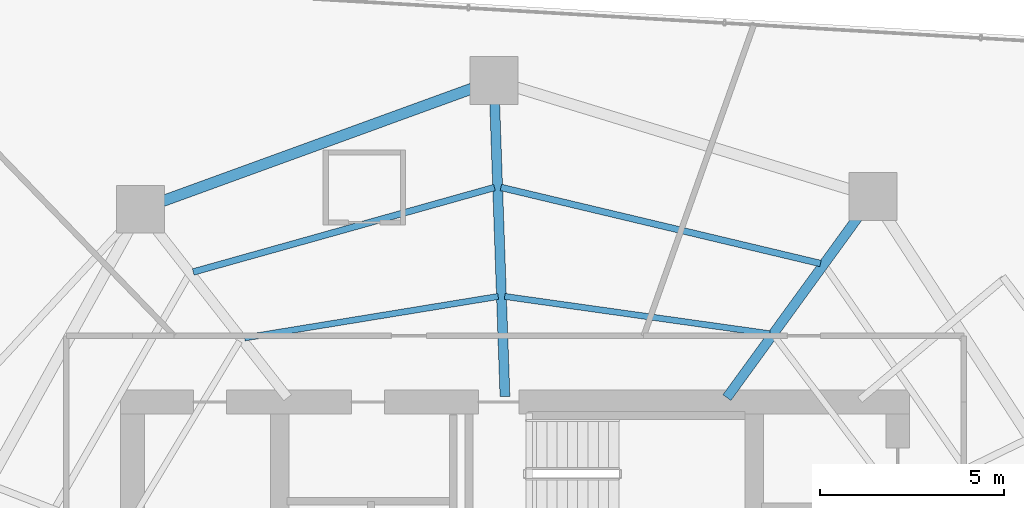
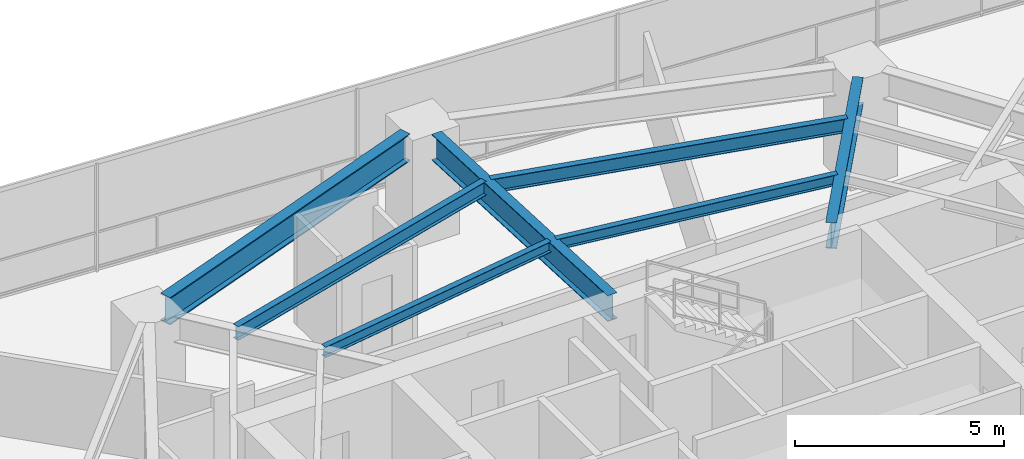
# One storey, part 17 of 28: 7 beams.
"""IFC4 building model written with IfcOpenShell, lengths in metres."""

import ifcopenshell
import ifcopenshell.guid

model = None  # the IFC model being written
_history = None  # IfcOwnerHistory: only IFC2X3 demands one
_inside = {}  # id of a spatial element -> (the spatial element, [elements in it])
_under = {}  # id of a project, library or spatial element -> (it, [spatial elements below it])
_declared = {}  # id of a project -> (the project, [libraries it declares])
_typed = {}  # id of a type object -> (the type object, [elements of that type])
_made_of = {}  # id of a material, layer set ... -> (it, [elements and type objects made of it])


def new_model(schema):
    """Start an empty IFC model of exactly this schema.

    Asked for "IFC4X3", IfcOpenShell would pick the latest addendum, in which some entities
    have other attributes; the version numbers below select the first issue.
    IFC2X3 requires an IfcOwnerHistory on every rooted entity: one is made here for all.
    """
    global model, _history
    if schema == "IFC4X3":
        model = ifcopenshell.file(schema_version=(4, 3, 0, 0))
    else:
        model = ifcopenshell.file(schema=schema)
    _inside.clear()
    _under.clear()
    _declared.clear()
    _typed.clear()
    _made_of.clear()
    _history = None
    if model.schema == "IFC2X3":
        org = make("IfcOrganization", Name="unknown")
        user = make(
            "IfcPersonAndOrganization",
            ThePerson=make("IfcPerson", FamilyName="unknown"),
            TheOrganization=org,
        )
        app = make(
            "IfcApplication",
            ApplicationDeveloper=org,
            Version="unknown",
            ApplicationFullName="unknown",
            ApplicationIdentifier="unknown",
        )
        _history = make(
            "IfcOwnerHistory",
            OwningUser=user,
            OwningApplication=app,
            ChangeAction="ADDED",
            CreationDate=0,
        )
    return model


def make(cls, **values):
    """One entity of the class cls with the attributes given. An attribute that is None is left unset."""
    return model.create_entity(
        cls, **{name: value for name, value in values.items() if value is not None}
    )


def rooted(cls, **values):
    """An entity with a GlobalId (a new one), such as an element, a storey or a relation."""
    return make(cls, GlobalId=ifcopenshell.guid.new(), OwnerHistory=_history, **values)


def si_unit(unit_type, name, prefix=None):
    """IfcSIUnit, for example si_unit("LENGTHUNIT", "METRE", prefix="MILLI")."""
    return make("IfcSIUnit", UnitType=unit_type, Prefix=prefix, Name=name)


def assignment(units):
    """IfcUnitAssignment: the units of a project."""
    return None if units is None else make("IfcUnitAssignment", Units=units)


def point(xyz):
    """IfcCartesianPoint."""
    return None if xyz is None else make("IfcCartesianPoint", Coordinates=xyz)


def direction(xyz):
    """IfcDirection."""
    return None if xyz is None else make("IfcDirection", DirectionRatios=xyz)


def frame(location, z_axis=None, x_axis=None):
    """IfcAxis2Placement3D, a coordinate frame: its origin and axes. An axis left out is left unset."""
    return make(
        "IfcAxis2Placement3D",
        Location=point(location),
        Axis=direction(z_axis),
        RefDirection=direction(x_axis),
    )


def frame_2d(location, x_axis=None):
    """IfcAxis2Placement2D, a coordinate frame in the plane: its origin and x axis."""
    return make(
        "IfcAxis2Placement2D", Location=point(location), RefDirection=direction(x_axis)
    )


def origin():
    """The frame at (0, 0, 0) with its axes left unset."""
    return frame((0.0, 0.0, 0.0))


def origin_2d():
    """The frame at (0, 0) in the plane with its x axis left unset."""
    return frame_2d((0.0, 0.0))


def place(relative_to, where):
    """IfcLocalPlacement: puts the frame where relative to a parent placement (None: the world)."""
    return make(
        "IfcLocalPlacement", PlacementRelTo=relative_to, RelativePlacement=where
    )


def context(
    kind, dimensions, precision=None, world=None, true_north=None, identifier=None
):
    """IfcGeometricRepresentationContext, for example the 3D "Model" context."""
    return make(
        "IfcGeometricRepresentationContext",
        ContextIdentifier=identifier,
        ContextType=kind,
        CoordinateSpaceDimension=dimensions,
        Precision=precision,
        WorldCoordinateSystem=world,
        TrueNorth=true_north,
    )


def subcontext(parent, identifier, kind, view, scale=None):
    """IfcGeometricRepresentationSubContext, for example "Body" below "Model"."""
    return make(
        "IfcGeometricRepresentationSubContext",
        ContextIdentifier=identifier,
        ContextType=kind,
        ParentContext=parent,
        TargetScale=scale,
        TargetView=view,
    )


def project(units=None, contexts=None):
    """IfcProject with its units and contexts."""
    return rooted(
        "IfcProject",
        Name="project",
        RepresentationContexts=contexts,
        UnitsInContext=assignment(units),
    )


def spatial(cls, under=None, at=None, **own):
    """A site, building, storey or space (cls), placed at a placement, below another one or the project."""
    s = rooted(cls, ObjectPlacement=at, **own)
    if under is not None:
        _under.setdefault(under.id(), (under, []))[1].append(s)
    return s


def profile(cls, at=None, kind="AREA", **sizes):
    """A parametric profile (cls). Its sizes go by their IFC names, for example OverallWidth=200.0."""
    return make(cls, ProfileType=kind, Position=at, **sizes)


def i_section(**sizes):
    """IfcIShapeProfileDef."""
    return profile("IfcIShapeProfileDef", **sizes)


def extrude(swept, where, along, depth):
    """IfcExtrudedAreaSolid: the profile swept, set in the frame where, extruded along a direction by depth."""
    return make(
        "IfcExtrudedAreaSolid",
        SweptArea=swept,
        Position=where,
        ExtrudedDirection=direction(along),
        Depth=depth,
    )


def shape(context_of_items, identifier, shape_type, items):
    """IfcShapeRepresentation: the items that make up one representation, for example the "Body"."""
    return make(
        "IfcShapeRepresentation",
        ContextOfItems=context_of_items,
        RepresentationIdentifier=identifier,
        RepresentationType=shape_type,
        Items=items,
    )


def material(Name=None, Category=None):
    """IfcMaterial."""
    return make("IfcMaterial", Name=Name, Category=Category)


def material_profile(
    of_material, cross_section, Name=None, Category=None, Priority=None
):
    """IfcMaterialProfile: a cross section and its material."""
    return make(
        "IfcMaterialProfile",
        Name=Name,
        Material=of_material,
        Profile=cross_section,
        Priority=Priority,
        Category=Category,
    )


def profile_set(profiles, Name=None, composite=None):
    """IfcMaterialProfileSet."""
    return make(
        "IfcMaterialProfileSet",
        Name=Name,
        MaterialProfiles=profiles,
        CompositeProfile=composite,
    )


def made_of(thing, what):
    """Note that an element or type object is made of a material, layer set ...; save() writes the relation."""
    if what is not None:
        _made_of.setdefault(what.id(), (what, []))[1].append(thing)
    return thing


def type_object(cls, material=None, **own):
    """A type object (cls), such as IfcWallType, which elements share."""
    return made_of(rooted(cls, **own), material)


def element(
    cls,
    number,
    at=None,
    inside=None,
    cuts=None,
    type_object=None,
    material=None,
    context=None,
    identifier="Body",
    shape_type=None,
    held_by="IfcProductDefinitionShape",
    body=None,
    shapes=None,
    **own,
):
    """One element of the class cls, such as IfcWall. Its Tag is "e" and its number.

    at: its placement. inside: the storey or other place that contains it. cuts: it is an
    opening in that element (IfcRelVoidsElement). A single representation is given by context,
    identifier, shape_type and body (its items); several are given by shapes. held_by: the class
    of the entity that holds the representations. save() writes the other relations.
    """
    e = rooted(cls, Tag="e%d" % number, ObjectPlacement=at, **own)
    if body is not None:
        shapes = [shape(context, identifier, shape_type, body)]
    if shapes is not None:
        e.Representation = make(held_by, Representations=shapes)
    if inside is not None:
        _inside.setdefault(inside.id(), (inside, []))[1].append(e)
    if cuts is not None:
        rooted(
            "IfcRelVoidsElement", RelatingBuildingElement=cuts, RelatedOpeningElement=e
        )
    if type_object is not None:
        _typed.setdefault(type_object.id(), (type_object, []))[1].append(e)
    return made_of(e, material)


def aggregate(whole, parts):
    """IfcRelAggregates: a whole, such as a stair, and the parts it consists of."""
    return rooted("IfcRelAggregates", RelatingObject=whole, RelatedObjects=parts)


def save(model, path):
    """Write the relations noted so far, then the file.

    IfcRelAggregates (storeys below a building ...), IfcRelContainedInSpatialStructure (elements
    in a storey), IfcRelDefinesByType, IfcRelAssociatesMaterial and IfcRelDeclares: one each for
    every whole, place, type object, material and project.
    """
    for whole, parts in _under.values():
        aggregate(whole, parts)
    for where, things in _inside.values():
        rooted(
            "IfcRelContainedInSpatialStructure",
            RelatedElements=things,
            RelatingStructure=where,
        )
    for kind, things in _typed.values():
        rooted("IfcRelDefinesByType", RelatedObjects=things, RelatingType=kind)
    for what, things in _made_of.values():
        rooted("IfcRelAssociatesMaterial", RelatedObjects=things, RelatingMaterial=what)
    for by, libraries in _declared.values():
        rooted("IfcRelDeclares", RelatingContext=by, RelatedDefinitions=libraries)
    model.write(path)


model = new_model("IFC4")

# Units and contexts
model_context = context("Model", 3, precision=1e-05, world=origin(), true_north=direction((0.0, 1.0)))
body_context = subcontext(model_context, "Body", "Model", "MODEL_VIEW")
ifc_project = project(units=[si_unit("LENGTHUNIT", "METRE"), si_unit("AREAUNIT", "SQUARE_METRE"), si_unit("VOLUMEUNIT", "CUBIC_METRE"), si_unit("PLANEANGLEUNIT", "RADIAN"), si_unit("MASSUNIT", "GRAM", prefix="KILO")], contexts=[model_context])

# Site, building, storey
site_placement = place(None, origin())
site = spatial("IfcSite", under=ifc_project, at=site_placement, CompositionType="ELEMENT")
building_placement = place(site_placement, origin())
building = spatial("IfcBuilding", under=site, at=building_placement, Name="Qarnah Convention Tower", CompositionType="ELEMENT")
storey_placement = place(building_placement, frame((0.0, 0.0, 54.60009765625)))
storey = spatial("IfcBuildingStorey", under=building, at=storey_placement, Name="L13", CompositionType="ELEMENT", Elevation=54.60009765625)

# Beams
ifc_material = material(Name="Structural steel S355JR", Category="steel")
ifc_material_profile_1 = material_profile(ifc_material, i_section(OverallWidth=0.166015625, OverallDepth=0.31201171875, WebThickness=0.007080078125, FlangeThickness=0.010986328125, at=origin_2d()), Name="W310X45")
ifc_profile_set_1 = profile_set([ifc_material_profile_1], Name="Structural steel S355JR")
beam_type_1 = type_object("IfcBeamType", Name="BM-JST-W310", PredefinedType="JOIST", material=ifc_profile_set_1)
beam_1_placement = place(storey_placement, frame((44.117919921875, 36.056884765625, 3.013916015625), z_axis=(-0.990232771612, 0.139424022414, 0.0), x_axis=(-0.139424022414, -0.990232771612, 0.0)))
element("IfcBeam", 1, at=beam_1_placement, inside=storey, type_object=beam_type_1, Name="L13 joist BM-L13-IJST-02", PredefinedType="JOIST", context=body_context, shape_type="SweptSolid", body=[
    extrude(i_section(OverallWidth=0.166015625, OverallDepth=0.31201171875, WebThickness=0.007080078125, FlangeThickness=0.010986328125, at=origin_2d()), origin(), (0.0, 0.0, 1.0), 7.27392578125),
])
beam_2_placement = place(storey_placement, frame((36.737060546875, 37.070068359375, 3.013916015625), z_axis=(-0.986919717952, -0.161212500503, 0.0), x_axis=(0.161212500503, -0.986919717952, 0.0)))
element("IfcBeam", 2, at=beam_2_placement, inside=storey, type_object=beam_type_1, Name="L13 joist BM-L13-IJST-03", PredefinedType="JOIST", context=body_context, shape_type="SweptSolid", body=[
    extrude(i_section(OverallWidth=0.166015625, OverallDepth=0.31201171875, WebThickness=0.007080078125, FlangeThickness=0.010986328125, at=origin_2d()), origin(), (0.0, 0.0, 1.0), 6.984375),
])
ifc_material_profile_2 = material_profile(ifc_material, i_section(OverallWidth=0.177978515625, OverallDepth=0.407958984375, WebThickness=0.008056640625, FlangeThickness=0.012939453125, at=origin_2d()), Name="W410X60")
ifc_profile_set_2 = profile_set([ifc_material_profile_2], Name="Structural steel S355JR")
beam_type_2 = type_object("IfcBeamType", Name="BM-JST-W410", PredefinedType="JOIST", material=ifc_profile_set_2)
beam_3_placement = place(storey_placement, frame((45.5, 37.966064453125, 2.9658203125), z_axis=(-0.972805041554, 0.231625454401, 0.0), x_axis=(-0.231625454401, -0.972805041554, 0.0)))
element("IfcBeam", 3, at=beam_3_placement, inside=storey, type_object=beam_type_2, Name="L13 joist BM-L13-SJST-02", PredefinedType="JOIST", context=body_context, shape_type="SweptSolid", body=[
    extrude(i_section(OverallWidth=0.177978515625, OverallDepth=0.407958984375, WebThickness=0.008056640625, FlangeThickness=0.012939453125, at=origin_2d()), origin(), (0.0, 0.0, 1.0), 8.931884765625),
])
beam_4_placement = place(storey_placement, frame((36.635986328125, 40.031982421875, 2.9658203125), z_axis=(-0.962855992526, -0.270015439665, 0.0), x_axis=(0.270015439665, -0.962855992526, 0.0)))
element("IfcBeam", 4, at=beam_4_placement, inside=storey, type_object=beam_type_2, Name="L13 joist BM-L13-SJST-03", PredefinedType="JOIST", context=body_context, shape_type="SweptSolid", body=[
    extrude(i_section(OverallWidth=0.177978515625, OverallDepth=0.407958984375, WebThickness=0.008056640625, FlangeThickness=0.012939453125, at=origin_2d()), origin(), (0.0, 0.0, 1.0), 8.5029296875),
])
ifc_material_profile_3 = material_profile(ifc_material, i_section(OverallWidth=0.26806640625, OverallDepth=0.760009765625, WebThickness=0.014892578125, FlangeThickness=0.02197265625, at=origin_2d()), Name="W760X185")
ifc_profile_set_3 = profile_set([ifc_material_profile_3], Name="Structural steel S355JR")
beam_type_3 = type_object("IfcBeamType", Name="BM-RAD-W760", PredefinedType="BEAM", material=ifc_profile_set_3)
beam_5_placement = place(storey_placement, frame((42.955078125, 34.321044921875, 2.789794921875), z_axis=(0.587873224058, 0.808953071837, 0.0), x_axis=(-0.808953071837, 0.587873224058, 0.0)))
element("IfcBeam", 5, at=beam_5_placement, inside=storey, type_object=beam_type_3, Name="L13 beam BM-L13-RAD-02", PredefinedType="BEAM", context=body_context, shape_type="SweptSolid", body=[
    extrude(i_section(OverallWidth=0.26806640625, OverallDepth=0.760009765625, WebThickness=0.014892578125, FlangeThickness=0.02197265625, at=origin_2d()), origin(), (0.0, 0.0, 1.0), 6.12890625),
])
beam_6_placement = place(storey_placement, frame((36.922119140625, 34.35009765625, 2.789794921875), z_axis=(-0.034913066254, 0.999390353068, 0.0), x_axis=(-0.999390353068, -0.034913066254, 0.0)))
element("IfcBeam", 6, at=beam_6_placement, inside=storey, type_object=beam_type_3, Name="L13 beam BM-L13-RAD-03", PredefinedType="BEAM", context=body_context, shape_type="SweptSolid", body=[
    extrude(i_section(OverallWidth=0.26806640625, OverallDepth=0.760009765625, WebThickness=0.014892578125, FlangeThickness=0.02197265625, at=origin_2d()), origin(), (0.0, 0.0, 1.0), 7.96484375),
])
ifc_material_profile_4 = material_profile(ifc_material, i_section(OverallWidth=0.300048828125, OverallDepth=0.800048828125, WebThickness=0.01806640625, FlangeThickness=0.032958984375, at=origin_2d()), Name="HEB800")
ifc_profile_set_4 = profile_set([ifc_material_profile_4], Name="Structural steel S355JR")
beam_type_4 = type_object("IfcBeamType", Name="BM-RING-HEB800", PredefinedType="BEAM", material=ifc_profile_set_4)
beam_7_placement = place(storey_placement, frame((36.02099609375, 42.720947265625, 2.77001953125), z_axis=(-0.939712145037, -0.341966496121, 0.0), x_axis=(0.341966496121, -0.939712145037, 0.0)))
element("IfcBeam", 7, at=beam_7_placement, inside=storey, type_object=beam_type_4, Name="L13 beam BM-L13-SPN-03", PredefinedType="BEAM", context=body_context, shape_type="SweptSolid", body=[
    extrude(i_section(OverallWidth=0.300048828125, OverallDepth=0.800048828125, WebThickness=0.01806640625, FlangeThickness=0.032958984375, at=origin_2d()), origin(), (0.0, 0.0, 1.0), 8.948486328125),
])

save(model, "model.ifc")
